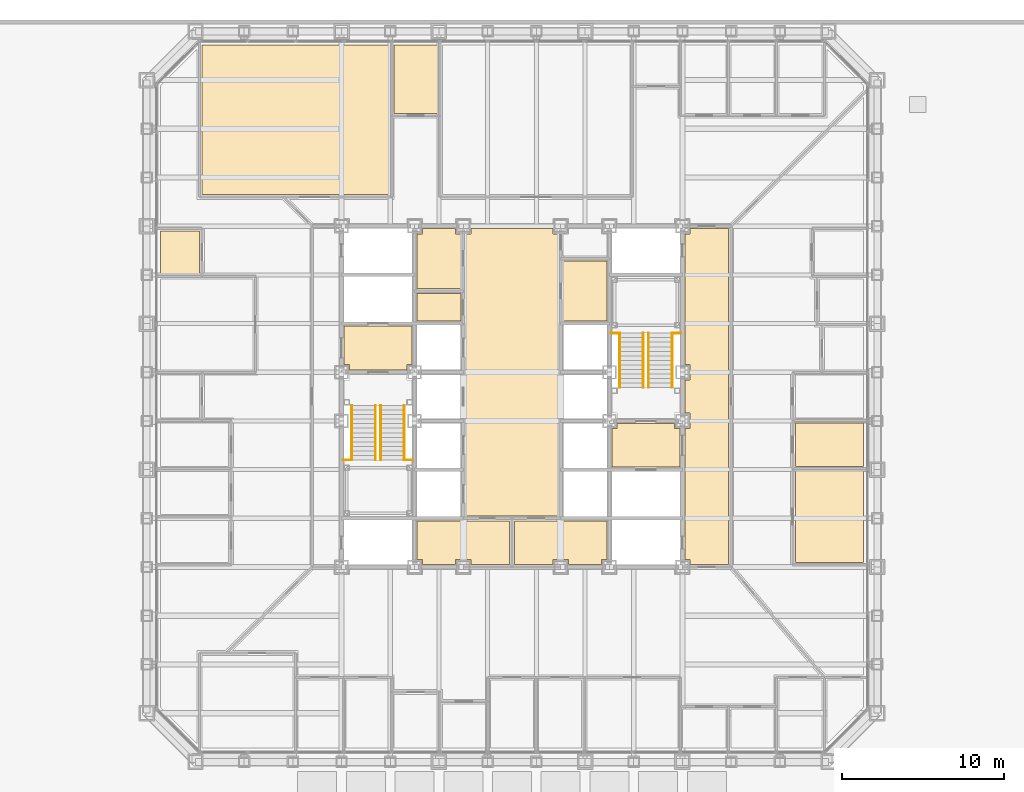
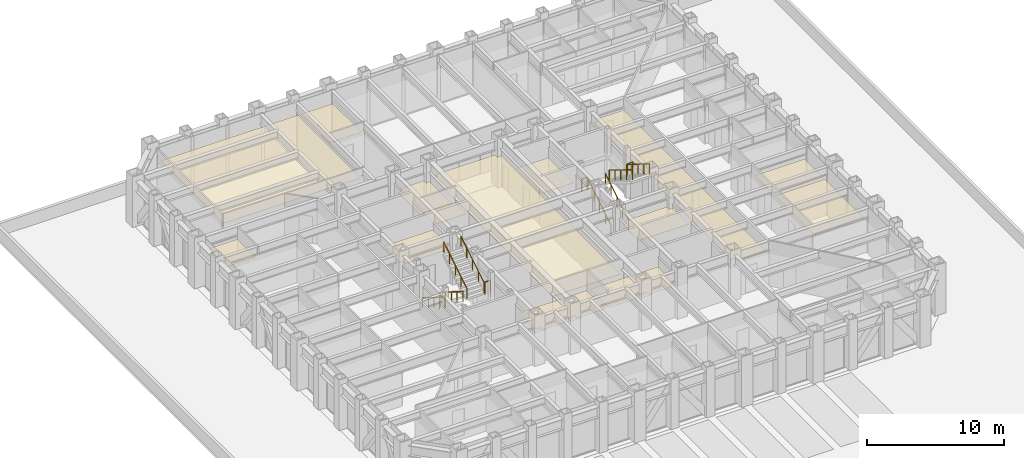
# One storey, part 17 of 18: 14 coverings, 12 railings.
"""IFC4 building model written with IfcOpenShell, lengths in metres."""

from ifc_helpers import new_model, si_unit, direction, frame, origin, origin_2d, place, context, subcontext, project, spatial, polyline, circle, outline, extrude, material, layer, layer_set, type_object, element, save


model = new_model("IFC4")

# Units and contexts
model_context = context("Model", 3, precision=1e-05, world=origin(), true_north=direction((0.0, 1.0)))
body_context = subcontext(model_context, "Body", "Model", "MODEL_VIEW")
ifc_project = project(units=[si_unit("LENGTHUNIT", "METRE"), si_unit("AREAUNIT", "SQUARE_METRE"), si_unit("VOLUMEUNIT", "CUBIC_METRE"), si_unit("PLANEANGLEUNIT", "RADIAN"), si_unit("MASSUNIT", "GRAM", prefix="KILO")], contexts=[model_context])

# Site, building, storey
site_placement = place(None, origin())
site = spatial("IfcSite", under=ifc_project, at=site_placement, CompositionType="ELEMENT")
building_placement = place(site_placement, origin())
building = spatial("IfcBuilding", under=site, at=building_placement, Name="Chuquiago Exchange Tower", CompositionType="ELEMENT")
storey_placement = place(building_placement, frame((0.0, 0.0, 24.300048828125)))
storey = spatial("IfcBuildingStorey", under=building, at=storey_placement, Name="L04", CompositionType="ELEMENT", Elevation=24.300048828125)

# Coverings
ifc_material_1 = material(Name="Mineral fibre tile, 600 x 600, on pale metal grid", Category="mineral fibre")
ifc_layer_1 = layer(ifc_material_1, 0.02001953125)
ifc_layer_set_1 = layer_set([ifc_layer_1], Name="CL1 suspended tile ceiling 20")
covering_type_1 = type_object("IfcCoveringType", Name="CL1 suspended tile ceiling 20", PredefinedType="CEILING", material=ifc_layer_set_1)
covering_1_placement = place(storey_placement, frame((0.0, 0.0, 3.0)))
element("IfcCovering", 1, at=covering_1_placement, inside=storey, type_object=covering_type_1, Name="Ceiling Meeting room", PredefinedType="CEILING", context=body_context, shape_type="SweptSolid", body=[
    extrude(outline(polyline([(39.949951171875, 12.28369140625), (39.949951171875, 17.907470703125), (44.14990234375, 17.907470703125), (44.14990234375, 12.28369140625), (39.949951171875, 12.28369140625)])), origin(), (0.0, 0.0, 1.0), 0.02001953125),
])
covering_2_placement = place(storey_placement, frame((0.0, 0.0, 3.0)))
element("IfcCovering", 2, at=covering_2_placement, inside=storey, type_object=covering_type_1, Name="Ceiling Office", PredefinedType="CEILING", context=body_context, shape_type="SweptSolid", body=[
    extrude(outline(polyline([(39.949951171875, 18.20751953125), (39.949951171875, 20.869140625), (44.14990234375, 20.869140625), (44.14990234375, 18.20751953125), (39.949951171875, 18.20751953125)])), origin(), (0.0, 0.0, 1.0), 0.02001953125),
])
covering_3_placement = place(storey_placement, frame((0.0, 0.0, 3.0)))
element("IfcCovering", 3, at=covering_3_placement, inside=storey, type_object=covering_type_1, Name="Ceiling Trading room", PredefinedType="CEILING", context=body_context, shape_type="SweptSolid", body=[
    extrude(outline(polyline([(14.945556640625, 44.14990234375), (14.945556640625, 34.949951171875), (3.3984375, 34.949951171875), (3.3984375, 44.14990234375), (14.945556640625, 44.14990234375)])), origin(), (0.0, 0.0, 1.0), 0.02001953125),
])
covering_4_placement = place(storey_placement, frame((0.0, 0.0, 3.0)))
element("IfcCovering", 4, at=covering_4_placement, inside=storey, type_object=covering_type_1, Name="Ceiling Office", PredefinedType="CEILING", context=body_context, shape_type="SweptSolid", body=[
    extrude(outline(polyline([(17.907470703125, 39.949951171875), (15.24560546875, 39.949951171875), (15.24560546875, 44.14990234375), (17.907470703125, 44.14990234375), (17.907470703125, 39.949951171875)])), origin(), (0.0, 0.0, 1.0), 0.02001953125),
])
covering_5_placement = place(storey_placement, frame((0.0, 0.0, 3.0)))
element("IfcCovering", 5, at=covering_5_placement, inside=storey, type_object=covering_type_1, Name="Ceiling Focus room", PredefinedType="CEILING", context=body_context, shape_type="SweptSolid", body=[
    extrude(outline(polyline([(3.25, 32.71630859375), (3.25, 30.054443359375), (0.85009765625, 30.054443359375), (0.85009765625, 32.71630859375), (3.25, 32.71630859375)])), origin(), (0.0, 0.0, 1.0), 0.02001953125),
])
covering_6_placement = place(storey_placement, frame((0.0, 0.0, 3.0)))
element("IfcCovering", 6, at=covering_6_placement, inside=storey, type_object=covering_type_1, Name="Ceiling Circulation corridor", PredefinedType="CEILING", context=body_context, shape_type="SweptSolid", body=[
    extrude(outline(polyline([(35.85009765625, 32.85009765625), (35.85009765625, 12.14990234375), (33.47509765625, 12.14990234375), (33.47509765625, 12.47509765625), (33.14990234375, 12.47509765625), (33.14990234375, 20.52490234375), (33.47509765625, 20.52490234375), (33.47509765625, 21.47509765625), (33.14990234375, 21.47509765625), (33.14990234375, 23.52490234375), (33.47509765625, 23.52490234375), (33.47509765625, 24.47509765625), (33.14990234375, 24.47509765625), (33.14990234375, 32.52490234375), (33.47509765625, 32.52490234375), (33.47509765625, 32.85009765625), (35.85009765625, 32.85009765625)])), origin(), (0.0, 0.0, 1.0), 0.02001953125),
])
covering_7_placement = place(storey_placement, frame((0.0, 0.0, 3.0)))
element("IfcCovering", 7, at=covering_7_placement, inside=storey, type_object=covering_type_1, Name="Ceiling First aid room", PredefinedType="CEILING", context=body_context, shape_type="SweptSolid", body=[
    extrude(outline(polyline([(16.64990234375, 27.14990234375), (16.64990234375, 28.85009765625), (19.35009765625, 28.85009765625), (19.35009765625, 27.14990234375), (16.64990234375, 27.14990234375)])), origin(), (0.0, 0.0, 1.0), 0.02001953125),
])
ifc_material_2 = material(Name="Moisture resistant plasterboard on metal frame", Category="gypsum")
ifc_layer_2 = layer(ifc_material_2, 0.014892578125)
ifc_layer_set_2 = layer_set([ifc_layer_2], Name="CL2 moisture resistant ceiling 15")
covering_type_2 = type_object("IfcCoveringType", Name="CL2 moisture resistant ceiling 15", PredefinedType="CEILING", material=ifc_layer_set_2)
covering_8_placement = place(storey_placement, frame((0.0, 0.0, 2.599853515625)))
element("IfcCovering", 8, at=covering_8_placement, inside=storey, type_object=covering_type_2, Name="Ceiling Male WC", PredefinedType="CEILING", context=body_context, shape_type="SweptSolid", body=[
    extrude(outline(polyline([(16.64990234375, 29.14990234375), (16.64990234375, 32.52490234375), (16.97509765625, 32.52490234375), (16.97509765625, 32.85009765625), (19.02490234375, 32.85009765625), (19.02490234375, 32.52490234375), (19.35009765625, 32.52490234375), (19.35009765625, 29.14990234375), (16.64990234375, 29.14990234375)])), origin(), (0.0, 0.0, 1.0), 0.01513671875),
])
covering_9_placement = place(storey_placement, frame((0.0, 0.0, 2.599853515625)))
element("IfcCovering", 9, at=covering_9_placement, inside=storey, type_object=covering_type_2, Name="Ceiling Female WC", PredefinedType="CEILING", context=body_context, shape_type="SweptSolid", body=[
    extrude(outline(polyline([(25.64990234375, 27.14990234375), (25.64990234375, 30.85009765625), (28.35009765625, 30.85009765625), (28.35009765625, 27.14990234375), (25.64990234375, 27.14990234375)])), origin(), (0.0, 0.0, 1.0), 0.01513671875),
])
covering_10_placement = place(storey_placement, frame((0.0, 0.0, 2.599853515625)))
element("IfcCovering", 10, at=covering_10_placement, inside=storey, type_object=covering_type_2, Name="Ceiling Accessible WC", PredefinedType="CEILING", context=body_context, shape_type="SweptSolid", body=[
    extrude(outline(polyline([(25.97509765625, 12.14990234375), (25.97509765625, 12.47509765625), (25.02490234375, 12.47509765625), (25.02490234375, 12.14990234375), (22.64990234375, 12.14990234375), (22.64990234375, 14.85009765625), (28.35009765625, 14.85009765625), (28.35009765625, 12.47509765625), (28.02490234375, 12.47509765625), (28.02490234375, 12.14990234375), (25.97509765625, 12.14990234375)])), origin(), (0.0, 0.0, 1.0), 0.01513671875),
])
covering_11_placement = place(storey_placement, frame((0.0, 0.0, 2.599853515625)))
element("IfcCovering", 11, at=covering_11_placement, inside=storey, type_object=covering_type_2, Name="Ceiling Cleaner", PredefinedType="CEILING", context=body_context, shape_type="SweptSolid", body=[
    extrude(outline(polyline([(19.97509765625, 12.14990234375), (19.97509765625, 12.47509765625), (19.02490234375, 12.47509765625), (19.02490234375, 12.14990234375), (16.97509765625, 12.14990234375), (16.97509765625, 12.47509765625), (16.64990234375, 12.47509765625), (16.64990234375, 14.85009765625), (22.35009765625, 14.85009765625), (22.35009765625, 12.14990234375), (19.97509765625, 12.14990234375)])), origin(), (0.0, 0.0, 1.0), 0.01513671875),
])
ifc_material_3 = material(Name="Pale metal plank ceiling, perforated", Category="aluminium")
ifc_layer_3 = layer(ifc_material_3, 0.030029296875)
ifc_layer_set_3 = layer_set([ifc_layer_3], Name="CL3 metal plank ceiling 30")
covering_type_3 = type_object("IfcCoveringType", Name="CL3 metal plank ceiling 30", PredefinedType="CEILING", material=ifc_layer_set_3)
covering_12_placement = place(storey_placement, frame((0.0, 0.0, 2.800048828125)))
element("IfcCovering", 12, at=covering_12_placement, inside=storey, type_object=covering_type_3, Name="Ceiling Lift lobby", PredefinedType="CEILING", context=body_context, shape_type="SweptSolid", body=[
    extrude(outline(polyline([(19.64990234375, 15.14990234375), (19.64990234375, 32.52490234375), (19.97509765625, 32.52490234375), (19.97509765625, 32.85009765625), (25.02490234375, 32.85009765625), (25.02490234375, 32.52490234375), (25.35009765625, 32.52490234375), (25.35009765625, 15.14990234375), (19.64990234375, 15.14990234375)])), origin(), (0.0, 0.0, 1.0), 0.02978515625),
])
covering_13_placement = place(storey_placement, frame((0.0, 0.0, 2.800048828125)))
element("IfcCovering", 13, at=covering_13_placement, inside=storey, type_object=covering_type_3, Name="Ceiling Firefighting lobby", PredefinedType="CEILING", context=body_context, shape_type="SweptSolid", body=[
    extrude(outline(polyline([(12.47509765625, 24.14990234375), (12.47509765625, 24.47509765625), (12.14990234375, 24.47509765625), (12.14990234375, 26.85009765625), (16.35009765625, 26.85009765625), (16.35009765625, 24.47509765625), (16.02490234375, 24.47509765625), (16.02490234375, 24.14990234375), (12.47509765625, 24.14990234375)])), origin(), (0.0, 0.0, 1.0), 0.02978515625),
])
covering_14_placement = place(storey_placement, frame((0.0, 0.0, 2.800048828125)))
element("IfcCovering", 14, at=covering_14_placement, inside=storey, type_object=covering_type_3, Name="Ceiling Firefighting lobby", PredefinedType="CEILING", context=body_context, shape_type="SweptSolid", body=[
    extrude(outline(polyline([(28.64990234375, 18.14990234375), (28.64990234375, 20.52490234375), (28.97509765625, 20.52490234375), (28.97509765625, 20.85009765625), (32.52490234375, 20.85009765625), (32.52490234375, 20.52490234375), (32.85009765625, 20.52490234375), (32.85009765625, 18.14990234375), (28.64990234375, 18.14990234375)])), origin(), (0.0, 0.0, 1.0), 0.02978515625),
])

# Railings
ifc_material_4 = material(Name="Pale metal guard with safety glass infill", Category="glass")
railing_type_1 = type_object("IfcRailingType", Name="GR1 guard 1100", PredefinedType="GUARDRAIL", material=ifc_material_4)
for number, where, name in (
    (15, (12.10009765625, 18.590087890625, 2.25), "Guard ST1 L04 landing 2"),
    (16, (15.945068359375, 18.590087890625, 2.25), "Guard ST1 L04 landing 2"),
    (17, (28.60009765625, 26.409912109375, 2.25), "Guard ST2 L04 landing 2"),
    (18, (32.445068359375, 26.409912109375, 2.25), "Guard ST2 L04 landing 2"),
):
    element("IfcRailing", number, at=place(storey_placement, frame(where)), inside=storey, type_object=railing_type_1, Name=name, PredefinedType="GUARDRAIL", context=body_context, shape_type="SweptSolid", body=[
        extrude(circle(Radius=0.02392578125, at=origin_2d()), frame((0.0, 0.0, 1.076171875), z_axis=(1.0, 0.0, 0.0), x_axis=(0.0, 1.0, 0.0)), (0.0, 0.0, 1.0), 0.454833984375),
        extrude(circle(Radius=0.02099609375, at=origin_2d()), origin(), (0.0, 0.0, 1.0), 1.052001953125),
        extrude(circle(Radius=0.02099609375, at=origin_2d()), frame((0.454833984375, 0.0, 0.0)), (0.0, 0.0, 1.0), 1.052001953125),
    ])
ifc_material_5 = material(Name="Pale metal handrail", Category="steel")
railing_type_2 = type_object("IfcRailingType", Name="HR1 handrail 900", PredefinedType="HANDRAIL", material=ifc_material_5)
for number, where, name in (
    (19, (12.635009765625, 21.949951171875, 0.173095703125), "Handrail ST1 L04 flight 1"),
    (20, (14.0849609375, 21.949951171875, 0.173095703125), "Handrail ST1 L04 flight 1"),
):
    element("IfcRailing", number, at=place(storey_placement, frame(where)), inside=storey, type_object=railing_type_2, Name=name, PredefinedType="HANDRAIL", context=body_context, shape_type="SweptSolid", body=[
        extrude(circle(Radius=0.02392578125, at=origin_2d()), frame((0.0, 0.0, 0.8759765625), z_axis=(0.0, -0.850606129759, 0.525803396734), x_axis=(1.0, 0.0, 0.0)), (0.0, 0.0, 1.0), 3.949951171875),
        extrude(circle(Radius=0.02099609375, at=origin_2d()), origin(), (0.0, 0.0, 1.0), 0.851806640625),
        extrude(circle(Radius=0.02099609375, at=origin_2d()), frame((0.0, -0.83984375, 0.519287109375)), (0.0, 0.0, 1.0), 0.851806640625),
        extrude(circle(Radius=0.02099609375, at=origin_2d()), frame((0.0, -1.679931640625, 1.03857421875)), (0.0, 0.0, 1.0), 0.851806640625),
        extrude(circle(Radius=0.02099609375, at=origin_2d()), frame((0.0, -2.52001953125, 1.5576171875)), (0.0, 0.0, 1.0), 0.851806640625),
        extrude(circle(Radius=0.02099609375, at=origin_2d()), frame((0.0, -3.35986328125, 2.076904296875)), (0.0, 0.0, 1.0), 0.851806640625),
    ])
for number, where, name in (
    (21, (15.864990234375, 18.590087890625, 2.423095703125), "Handrail ST1 L04 flight 2"),
    (22, (14.4150390625, 18.590087890625, 2.423095703125), "Handrail ST1 L04 flight 2"),
    (23, (30.5849609375, 23.050048828125, 0.173095703125), "Handrail ST2 L04 flight 1"),
    (24, (29.135009765625, 23.050048828125, 0.173095703125), "Handrail ST2 L04 flight 1"),
):
    element("IfcRailing", number, at=place(storey_placement, frame(where)), inside=storey, type_object=railing_type_2, Name=name, PredefinedType="HANDRAIL", context=body_context, shape_type="SweptSolid", body=[
        extrude(circle(Radius=0.02392578125, at=origin_2d()), frame((0.0, 0.0, 0.8759765625), z_axis=(0.0, 0.850606129759, 0.525803396734), x_axis=(-1.0, 0.0, 0.0)), (0.0, 0.0, 1.0), 3.949951171875),
        extrude(circle(Radius=0.02099609375, at=origin_2d()), origin(), (0.0, 0.0, 1.0), 0.851806640625),
        extrude(circle(Radius=0.02099609375, at=origin_2d()), frame((0.0, 0.83984375, 0.519287109375)), (0.0, 0.0, 1.0), 0.851806640625),
        extrude(circle(Radius=0.02099609375, at=origin_2d()), frame((0.0, 1.679931640625, 1.03857421875)), (0.0, 0.0, 1.0), 0.851806640625),
        extrude(circle(Radius=0.02099609375, at=origin_2d()), frame((0.0, 2.52001953125, 1.5576171875)), (0.0, 0.0, 1.0), 0.851806640625),
        extrude(circle(Radius=0.02099609375, at=origin_2d()), frame((0.0, 3.35986328125, 2.076904296875)), (0.0, 0.0, 1.0), 0.851806640625),
    ])
for number, where, name in (
    (25, (30.9150390625, 26.409912109375, 2.423095703125), "Handrail ST2 L04 flight 2"),
    (26, (32.364990234375, 26.409912109375, 2.423095703125), "Handrail ST2 L04 flight 2"),
):
    element("IfcRailing", number, at=place(storey_placement, frame(where)), inside=storey, type_object=railing_type_2, Name=name, PredefinedType="HANDRAIL", context=body_context, shape_type="SweptSolid", body=[
        extrude(circle(Radius=0.02392578125, at=origin_2d()), frame((0.0, 0.0, 0.8759765625), z_axis=(0.0, -0.850606129759, 0.525803396734), x_axis=(1.0, 0.0, 0.0)), (0.0, 0.0, 1.0), 3.949951171875),
        extrude(circle(Radius=0.02099609375, at=origin_2d()), origin(), (0.0, 0.0, 1.0), 0.851806640625),
        extrude(circle(Radius=0.02099609375, at=origin_2d()), frame((0.0, -0.83984375, 0.519287109375)), (0.0, 0.0, 1.0), 0.851806640625),
        extrude(circle(Radius=0.02099609375, at=origin_2d()), frame((0.0, -1.679931640625, 1.03857421875)), (0.0, 0.0, 1.0), 0.851806640625),
        extrude(circle(Radius=0.02099609375, at=origin_2d()), frame((0.0, -2.52001953125, 1.5576171875)), (0.0, 0.0, 1.0), 0.851806640625),
        extrude(circle(Radius=0.02099609375, at=origin_2d()), frame((0.0, -3.35986328125, 2.076904296875)), (0.0, 0.0, 1.0), 0.851806640625),
    ])

save(model, "model.ifc")
